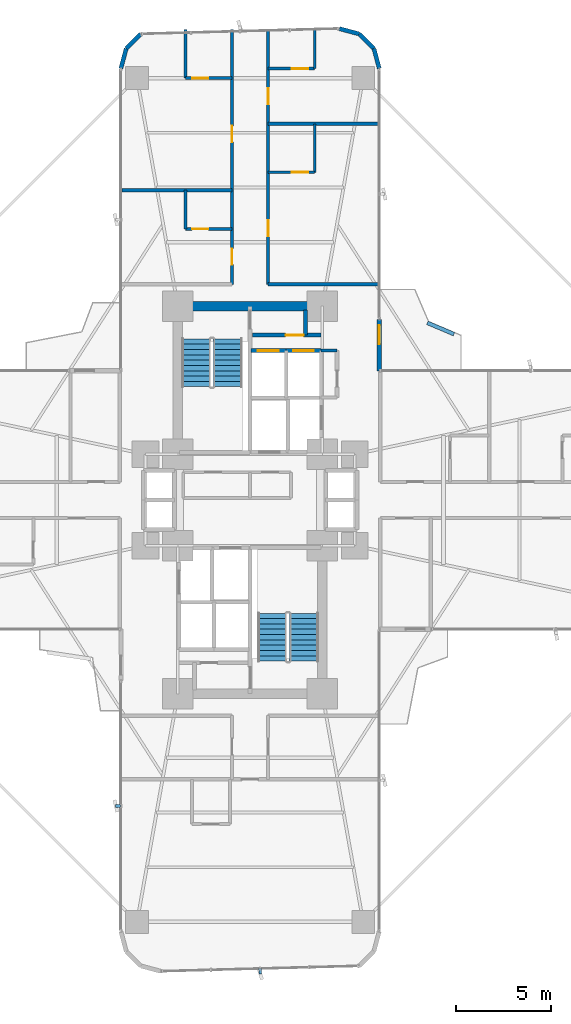
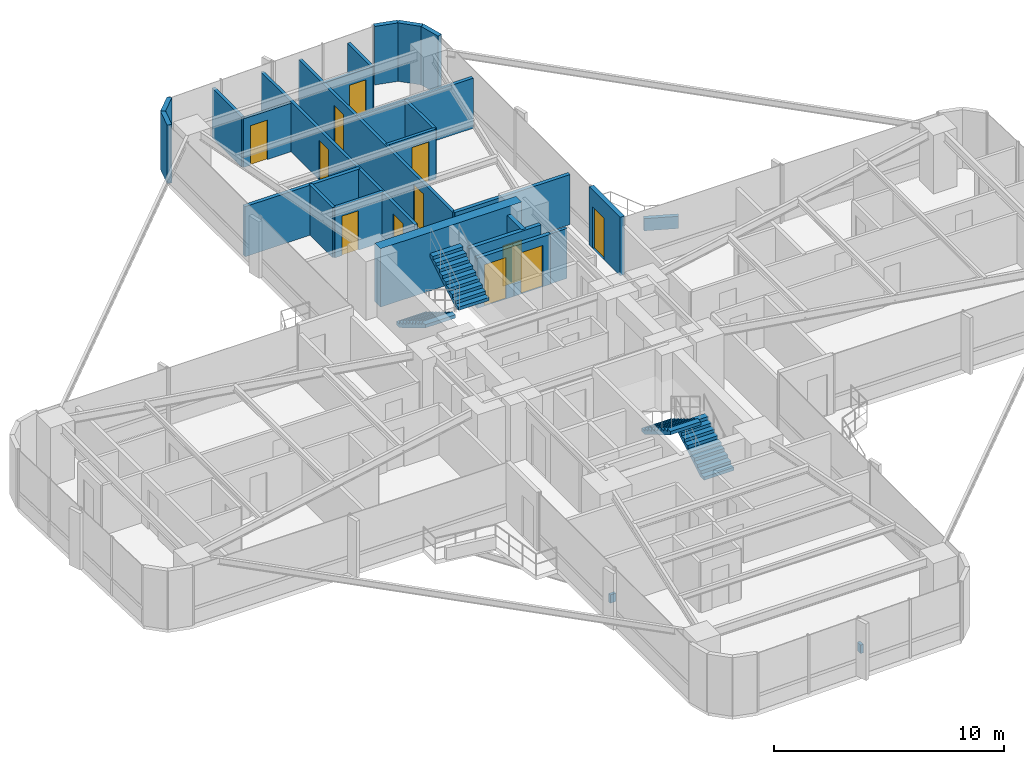
# One storey, part 24 of 26: 26 walls, 12 doors, 4 stair flights, 2 discrete accessories, 12 openings, 2 elements without a shape of their own.
"""IFC4 building model written with IfcOpenShell, lengths in metres."""

from ifc_helpers import new_model, si_unit, direction, frame, frame_2d, origin, origin_2d, place, context, subcontext, project, spatial, polyline, rectangle, outline, extrude, source, transform, mapped, material, layer, layer_set, type_object, element, fill, aggregate, save


model = new_model("IFC4")

# Units and contexts
model_context = context("Model", 3, precision=1e-05, world=origin(), true_north=direction((0.0, 1.0)))
body_context = subcontext(model_context, "Body", "Model", "MODEL_VIEW")
ifc_project = project(units=[si_unit("LENGTHUNIT", "METRE"), si_unit("AREAUNIT", "SQUARE_METRE"), si_unit("VOLUMEUNIT", "CUBIC_METRE"), si_unit("PLANEANGLEUNIT", "RADIAN"), si_unit("MASSUNIT", "GRAM", prefix="KILO")], contexts=[model_context])

# Site, building, storey
site_placement = place(None, origin())
site = spatial("IfcSite", under=ifc_project, at=site_placement, CompositionType="ELEMENT")
building_placement = place(site_placement, origin())
building = spatial("IfcBuilding", under=site, at=building_placement, Name="Sahyath Konkavel Grand Hotel", CompositionType="ELEMENT")
storey_placement = place(building_placement, frame((0.0, 0.0, 26.449951171875)))
storey = spatial("IfcBuildingStorey", under=building, at=storey_placement, Name="L06", CompositionType="ELEMENT", Elevation=26.449951171875)

# Wall
ifc_material_1 = material(Name="Concrete C70/85", Category="concrete")
ifc_layer_1 = layer(ifc_material_1, 0.5)
ifc_layer_set_1 = layer_set([ifc_layer_1], Name="Concrete C70/85")
wall_type_1 = type_object("IfcWallType", Name="CWALL-500", PredefinedType="SHEAR", material=ifc_layer_set_1)
wall_1_placement = place(storey_placement, frame((-3.550048828125, 10.199951171875, 0.0), z_axis=(0.0, 0.0, 1.0), x_axis=(1.0, 0.0, 0.0)))
element("IfcWall", 1, at=wall_1_placement, inside=storey, type_object=wall_type_1, Name="L06 North Core Shear Wall N", PredefinedType="SHEAR", context=body_context, shape_type="SweptSolid", body=[
    extrude(rectangle(XDim=7.10009765625, YDim=0.5, at=frame_2d((3.550048828125, 0.0))), origin(), (0.0, 0.0, 1.0), 3.110107421875),
])

# Wall, opening, door
ifc_material_2 = material(Name="Warm Buff Sandstone Insulated Concrete C40/50", Category="masonry")
ifc_layer_2 = layer(ifc_material_2, 0.219970703125)
ifc_layer_set_2 = layer_set([ifc_layer_2], Name="Warm Buff Sandstone Insulated Concrete C40/50")
wall_type_2 = type_object("IfcWallType", Name="WLL-BALC-THRESH", PredefinedType="STANDARD", material=ifc_layer_set_2)
wall_2_placement = place(storey_placement, frame((6.800048828125, 6.800048828125, 0.0), z_axis=(0.0, 0.0, 1.0), x_axis=(0.0, 1.0, 0.0)))
wall_2 = element("IfcWall", 2, at=wall_2_placement, inside=storey, type_object=wall_type_2, Name="L06 Winter-Garden Threshold Wall 8", PredefinedType="STANDARD", context=body_context, shape_type="SweptSolid", body=[
    extrude(rectangle(XDim=2.699951171875, YDim=0.219970703125, at=frame_2d((1.35009765625, 0.0))), origin(), (0.0, 0.0, 1.0), 3.110107421875),
])
opening_1_placement = place(wall_2_placement, frame((1.39990234375, 0.0, 0.0)))
opening_1 = element("IfcOpeningElement", 3, at=opening_1_placement, cuts=wall_2, Name="Opening D-TR1", PredefinedType="OPENING", context=body_context, shape_type="SweptSolid", body=[
    extrude(rectangle(XDim=1.0, YDim=2.199951171875, at=frame_2d((0.5, 1.10009765625))), frame((0.0, 0.1201171875, 0.0), z_axis=(0.0, -1.0, 0.0), x_axis=(1.0, 0.0, 0.0)), (0.0, 0.0, 1.0), 0.239990234375),
])
ifc_material_3 = material(Name="Anodised Bronze Aluminium & Low-E Glazing", Category="aluminium")
door_type_1 = type_object("IfcDoorType", Name="DR-TERRACE-1000", OperationType="NOTDEFINED", PredefinedType="DOOR", material=ifc_material_3)
shared_shape_1 = source(origin(), body_context, "Body", "SweptSolid", [
    extrude(rectangle(XDim=1.0, YDim=0.050048828125, at=origin_2d()), origin(), (0.0, 0.0, 1.0), 2.199951171875),
])
door_1_placement = place(opening_1_placement, frame((0.5, 0.0, 0.0)))
door_1 = element("IfcDoor", 4, at=door_1_placement, inside=storey, type_object=door_type_1, Name="L06 Winter-Garden Terrace Door 8", OperationType="SINGLE_SWING_LEFT", OverallHeight=2.199951171875, OverallWidth=1.0, PredefinedType="DOOR", context=body_context, shape_type="MappedRepresentation", body=[
    mapped(shared_shape_1, transform((0.0, 0.0, 0.0), scale=1.0)),
])
fill(opening_1, door_1)

# Walls
for number, where, z_axis, x_axis, name in (
    (5, (6.800048828125, 22.699951171875, 0.0), (0.0, 0.0, 1.0), (-0.25872485917, 0.965951058412, 0.0), "L06 Rounded Corner Sandstone Pier 9"),
    (6, (6.518798828125, 23.75, 0.0), (0.0, 0.0, 1.0), (-0.707106781187, 0.707106781187, 0.0), "L06 Rounded Corner Sandstone Pier 10"),
    (7, (5.75, 24.518798828125, 0.0), (0.0, 0.0, 1.0), (-0.965951058412, 0.25872485917, 0.0), "L06 Rounded Corner Sandstone Pier 11"),
    (8, (-5.75, 24.518798828125, 0.0), (0.0, 0.0, 1.0), (-0.707106781187, -0.707106781187, 0.0), "L06 Rounded Corner Sandstone Pier 13"),
    (9, (-6.518798828125, 23.75, 0.0), (0.0, 0.0, 1.0), (-0.25872485917, -0.965951058412, 0.0), "L06 Rounded Corner Sandstone Pier 14"),
):
    element("IfcWall", number, at=place(storey_placement, frame(where, z_axis=z_axis, x_axis=x_axis)), inside=storey, type_object=wall_type_2, Name=name, PredefinedType="STANDARD", context=body_context, shape_type="SweptSolid", body=[
        extrude(rectangle(XDim=1.087158203125, YDim=0.219970703125, at=frame_2d((0.54345703125, 0.0))), origin(), (0.0, 0.0, 1.0), 3.110107421875),
    ])

# Wall, opening, door
ifc_material_4 = material(Name="Concrete C40/50", Category="concrete")
ifc_layer_3 = layer(ifc_material_4, 0.199951171875)
ifc_layer_set_3 = layer_set([ifc_layer_3], Name="Concrete C40/50")
wall_type_3 = type_object("IfcWallType", Name="WLL-CORE-200", PredefinedType="SOLIDWALL", material=ifc_layer_set_3)
wall_3_placement = place(storey_placement, frame((0.050048828125, 7.860107421875, 0.0), z_axis=(0.0, 0.0, 1.0), x_axis=(1.0, 0.0, 0.0)))
wall_3 = element("IfcWall", 10, at=wall_3_placement, inside=storey, type_object=wall_type_3, Name="L06 Partition SH-PL1-N", PredefinedType="SOLIDWALL", context=body_context, shape_type="SweptSolid", body=[
    extrude(rectangle(XDim=1.849853515625, YDim=0.199951171875, at=frame_2d((0.9248046875, 0.0))), origin(), (0.0, 0.0, 1.0), 2.66015625),
])
opening_2_placement = place(wall_3_placement, frame((0.360107421875, 0.0, 0.0)))
opening_2 = element("IfcOpeningElement", 11, at=opening_2_placement, cuts=wall_3, Name="Opening LD-11", PredefinedType="OPENING", context=body_context, shape_type="SweptSolid", body=[
    extrude(rectangle(XDim=1.10009765625, YDim=2.199951171875, at=frame_2d((0.550048828125, 1.10009765625))), frame((0.0, 0.10986328125, 0.0), z_axis=(0.0, -1.0, 0.0), x_axis=(1.0, 0.0, 0.0)), (0.0, 0.0, 1.0), 0.219970703125),
])
ifc_material_5 = material(Name="Bronze Lift Landing Door 1100")
door_type_2 = type_object("IfcDoorType", Name="DR-LIFT-1100", OperationType="DOUBLE_DOOR_SLIDING", PredefinedType="DOOR", material=ifc_material_5)
shared_shape_2 = source(origin(), body_context, "Body", "SweptSolid", [
    extrude(rectangle(XDim=1.10009765625, YDim=0.050048828125, at=origin_2d()), origin(), (0.0, 0.0, 1.0), 2.199951171875),
])
door_2_placement = place(opening_2_placement, frame((0.550048828125, 0.0, 0.0)))
door_2 = element("IfcDoor", 12, at=door_2_placement, inside=storey, type_object=door_type_2, Name="L06 Passenger Lift PL-1 Landing Door", OperationType="DOUBLE_DOOR_SLIDING", OverallHeight=2.199951171875, OverallWidth=1.10009765625, PredefinedType="DOOR", context=body_context, shape_type="MappedRepresentation", body=[
    mapped(shared_shape_2, transform((0.0, 0.0, 0.0), scale=1.0)),
])
fill(opening_2, door_2)

wall_4_placement = place(storey_placement, frame((1.89990234375, 7.860107421875, 0.0), z_axis=(0.0, 0.0, 1.0), x_axis=(1.0, 0.0, 0.0)))
wall_4 = element("IfcWall", 13, at=wall_4_placement, inside=storey, type_object=wall_type_3, Name="L06 Partition SH-PL2-N", PredefinedType="SOLIDWALL", context=body_context, shape_type="SweptSolid", body=[
    extrude(rectangle(XDim=1.840087890625, YDim=0.199951171875, at=frame_2d((0.919921875, 0.0))), origin(), (0.0, 0.0, 1.0), 2.66015625),
])
opening_3_placement = place(wall_4_placement, frame((0.360107421875, 0.0, 0.0)))
opening_3 = element("IfcOpeningElement", 14, at=opening_3_placement, cuts=wall_4, Name="Opening LD-11", PredefinedType="OPENING", context=body_context, shape_type="SweptSolid", body=[
    extrude(rectangle(XDim=1.10009765625, YDim=2.199951171875, at=frame_2d((0.550048828125, 1.10009765625))), frame((0.0, 0.10986328125, 0.0), z_axis=(0.0, -1.0, 0.0), x_axis=(1.0, 0.0, 0.0)), (0.0, 0.0, 1.0), 0.219970703125),
])
door_3_placement = place(opening_3_placement, frame((0.550048828125, 0.0, 0.0)))
door_3 = element("IfcDoor", 15, at=door_3_placement, inside=storey, type_object=door_type_2, Name="L06 Passenger Lift PL-2 Landing Door", OperationType="DOUBLE_DOOR_SLIDING", OverallHeight=2.199951171875, OverallWidth=1.10009765625, PredefinedType="DOOR", context=body_context, shape_type="MappedRepresentation", body=[
    mapped(shared_shape_2, transform((0.0, 0.0, 0.0), scale=1.0)),
])
fill(opening_3, door_3)

wall_5_placement = place(storey_placement, frame((0.1201171875, 8.679931640625, 0.0), z_axis=(0.0, 0.0, 1.0), x_axis=(1.0, 0.0, 0.0)))
wall_5 = element("IfcWall", 16, at=wall_5_placement, inside=storey, type_object=wall_type_3, Name="L06 North FF Lobby Separation Wall", PredefinedType="SOLIDWALL", context=body_context, shape_type="SweptSolid", body=[
    extrude(rectangle(XDim=3.619873046875, YDim=0.199951171875, at=frame_2d((1.81005859375, 0.0))), origin(), (0.0, 0.0, 1.0), 2.66015625),
])
opening_4_placement = place(wall_5_placement, frame((1.75, 0.0, 0.0)))
opening_4 = element("IfcOpeningElement", 17, at=opening_4_placement, cuts=wall_5, Name="Opening D-F12C", PredefinedType="OPENING", context=body_context, shape_type="SweptSolid", body=[
    extrude(rectangle(XDim=0.949951171875, YDim=2.14990234375, at=frame_2d((0.47509765625, 1.074951171875))), frame((0.0, 0.10986328125, 0.0), z_axis=(0.0, -1.0, 0.0), x_axis=(1.0, 0.0, 0.0)), (0.0, 0.0, 1.0), 0.219970703125),
])
ifc_material_6 = material(Name="Steel E350 Plant Fire Door", Category="steel")
door_type_3 = type_object("IfcDoorType", Name="DR-FD120-950", OperationType="NOTDEFINED", PredefinedType="DOOR", material=ifc_material_6)
shared_shape_3 = source(origin(), body_context, "Body", "SweptSolid", [
    extrude(rectangle(XDim=0.949951171875, YDim=0.050048828125, at=origin_2d()), origin(), (0.0, 0.0, 1.0), 2.14990234375),
])
door_4_placement = place(opening_4_placement, frame((0.47509765625, 0.0, 0.0)))
door_4 = element("IfcDoor", 18, at=door_4_placement, inside=storey, type_object=door_type_3, Name="L06 North Firefighting Lobby Door", OperationType="SINGLE_SWING_LEFT", OverallHeight=2.14990234375, OverallWidth=0.949951171875, PredefinedType="DOOR", context=body_context, shape_type="MappedRepresentation", body=[
    mapped(shared_shape_3, transform((0.0, 0.0, 0.0), scale=1.0)),
])
fill(opening_4, door_4)

# Walls
wall_6_placement = place(storey_placement, frame((2.919921875, 8.679931640625, 0.0), z_axis=(0.0, 0.0, 1.0), x_axis=(0.0, 1.0, 0.0)))
element("IfcWall", 19, at=wall_6_placement, inside=storey, type_object=wall_type_3, Name="L06 Partition NFF-E2", PredefinedType="SOLIDWALL", context=body_context, shape_type="SweptSolid", body=[
    extrude(rectangle(XDim=1.320068359375, YDim=0.199951171875, at=frame_2d((0.66015625, 0.0))), origin(), (0.0, 0.0, 1.0), 2.66015625),
])
ifc_material_7 = material(Name="Twin-Stud Acoustic Gypsum Plasterboard Partition")
ifc_layer_4 = layer(ifc_material_7, 0.179931640625)
ifc_layer_set_4 = layer_set([ifc_layer_4], Name="Twin-Stud Acoustic Gypsum Plasterboard Partition")
wall_type_4 = type_object("IfcWallType", Name="WLL-DEMISE-180", PredefinedType="PARTITIONING", material=ifc_layer_set_4)
for number, where, z_axis, x_axis, name in (
    (20, (6.75, 11.35009765625, 0.0), (0.0, 0.0, 1.0), (-1.0, 0.0, 0.0), "L06 Partition N-INR"),
    (21, (-0.949951171875, 16.30810546875, 0.0), (0.0, 0.0, 1.0), (-1.0, 0.0, 0.0), "L06 Partition N-N1L-DEM"),
    (22, (0.949951171875, 19.7919921875, 0.0), (0.0, 0.0, 1.0), (1.0, 0.0, 0.0), "L06 Partition N-N1R-DEM"),
):
    element("IfcWall", number, at=place(storey_placement, frame(where, z_axis=z_axis, x_axis=x_axis)), inside=storey, type_object=wall_type_4, Name=name, PredefinedType="PARTITIONING", context=body_context, shape_type="SweptSolid", body=[
        extrude(rectangle(XDim=5.800048828125, YDim=0.179931640625, at=frame_2d((2.89990234375, 0.0))), origin(), (0.0, 0.0, 1.0), 2.66015625),
    ])
ifc_material_8 = material(Name="Fire-Rated Gypsum Plasterboard Partition")
ifc_layer_5 = layer(ifc_material_8, 0.14990234375)
ifc_layer_set_5 = layer_set([ifc_layer_5], Name="Fire-Rated Gypsum Plasterboard Partition")
wall_type_5 = type_object("IfcWallType", Name="WLL-PART-150", PredefinedType="PARTITIONING", material=ifc_layer_set_5)
wall_7_placement = place(storey_placement, frame((3.739990234375, 7.860107421875, 0.0), z_axis=(0.0, 0.0, 1.0), x_axis=(1.0, 0.0, 0.0)))
element("IfcWall", 23, at=wall_7_placement, inside=storey, type_object=wall_type_5, Name="L06 Partition NC-FLK-N", PredefinedType="PARTITIONING", context=body_context, shape_type="SweptSolid", body=[
    extrude(rectangle(XDim=0.840087890625, YDim=0.14990234375, at=frame_2d((0.419921875, 0.0))), origin(), (0.0, 0.0, 1.0), 2.66015625),
])

# Wall, openings, doors
wall_8_placement = place(storey_placement, frame((-0.949951171875, 11.35009765625, 0.0), z_axis=(0.0, 0.0, 1.0), x_axis=(0.0, 1.0, 0.0)))
wall_8 = element("IfcWall", 24, at=wall_8_placement, inside=storey, type_object=wall_type_5, Name="L06 Partition N-CL", PredefinedType="PARTITIONING", context=body_context, shape_type="SweptSolid", body=[
    extrude(rectangle(XDim=13.39990234375, YDim=0.14990234375, at=frame_2d((6.699951171875, 0.0))), origin(), (0.0, 0.0, 1.0), 2.66015625),
])
opening_5_placement = place(wall_8_placement, frame((1.029052734375, 0.0, 0.0)))
opening_5 = element("IfcOpeningElement", 25, at=opening_5_placement, cuts=wall_8, Name="Opening D-F06D", PredefinedType="OPENING", context=body_context, shape_type="SweptSolid", body=[
    extrude(rectangle(XDim=0.85009765625, YDim=2.10009765625, at=frame_2d((0.425048828125, 1.050048828125))), frame((0.0, 0.0849609375, 0.0), z_axis=(0.0, -1.0, 0.0), x_axis=(1.0, 0.0, 0.0)), (0.0, 0.0, 1.0), 0.169921875),
])
opening_6_placement = place(wall_8_placement, frame((7.47900390625, 0.0, 0.0)))
opening_6 = element("IfcOpeningElement", 26, at=opening_6_placement, cuts=wall_8, Name="Opening D-F06D", PredefinedType="OPENING", context=body_context, shape_type="SweptSolid", body=[
    extrude(rectangle(XDim=0.85009765625, YDim=2.10009765625, at=frame_2d((0.425048828125, 1.050048828125))), frame((0.0, 0.0849609375, 0.0), z_axis=(0.0, -1.0, 0.0), x_axis=(1.0, 0.0, 0.0)), (0.0, 0.0, 1.0), 0.169921875),
])
ifc_material_9 = material(Name="Fire-Rated Shaft Access Door")
door_type_4 = type_object("IfcDoorType", Name="DR-FD60-850", OperationType="NOTDEFINED", PredefinedType="DOOR", material=ifc_material_9)
shared_shape_4 = source(origin(), body_context, "Body", "SweptSolid", [
    extrude(rectangle(XDim=0.85009765625, YDim=0.050048828125, at=origin_2d()), origin(), (0.0, 0.0, 1.0), 2.10009765625),
])
door_5_placement = place(opening_5_placement, frame((0.425048828125, 0.0, 0.0)))
door_5 = element("IfcDoor", 27, at=door_5_placement, inside=storey, type_object=door_type_4, Name="L06 Door N-N1L-ED", OperationType="SINGLE_SWING_LEFT", OverallHeight=2.10009765625, OverallWidth=0.85009765625, PredefinedType="DOOR", context=body_context, shape_type="MappedRepresentation", body=[
    mapped(shared_shape_4, transform((0.0, 0.0, 0.0), scale=1.0)),
])
fill(opening_5, door_5)
door_6_placement = place(opening_6_placement, frame((0.425048828125, 0.0, 0.0)))
door_6 = element("IfcDoor", 28, at=door_6_placement, inside=storey, type_object=door_type_4, Name="L06 Door N-N2L-ED", OperationType="SINGLE_SWING_LEFT", OverallHeight=2.10009765625, OverallWidth=0.85009765625, PredefinedType="DOOR", context=body_context, shape_type="MappedRepresentation", body=[
    mapped(shared_shape_4, transform((0.0, 0.0, 0.0), scale=1.0)),
])
fill(opening_6, door_6)

wall_9_placement = place(storey_placement, frame((0.949951171875, 11.35009765625, 0.0), z_axis=(0.0, 0.0, 1.0), x_axis=(0.0, 1.0, 0.0)))
wall_9 = element("IfcWall", 29, at=wall_9_placement, inside=storey, type_object=wall_type_5, Name="L06 Partition N-CR", PredefinedType="PARTITIONING", context=body_context, shape_type="SweptSolid", body=[
    extrude(rectangle(XDim=13.39990234375, YDim=0.14990234375, at=frame_2d((6.699951171875, 0.0))), origin(), (0.0, 0.0, 1.0), 2.66015625),
])
opening_7_placement = place(wall_9_placement, frame((2.52099609375, 0.0, 0.0)))
opening_7 = element("IfcOpeningElement", 30, at=opening_7_placement, cuts=wall_9, Name="Opening D-F06D", PredefinedType="OPENING", context=body_context, shape_type="SweptSolid", body=[
    extrude(rectangle(XDim=0.85009765625, YDim=2.10009765625, at=frame_2d((0.425048828125, 1.050048828125))), frame((0.0, 0.0849609375, 0.0), z_axis=(0.0, -1.0, 0.0), x_axis=(1.0, 0.0, 0.0)), (0.0, 0.0, 1.0), 0.169921875),
])
opening_8_placement = place(wall_9_placement, frame((9.470947265625, 0.0, 0.0)))
opening_8 = element("IfcOpeningElement", 31, at=opening_8_placement, cuts=wall_9, Name="Opening D-F06D", PredefinedType="OPENING", context=body_context, shape_type="SweptSolid", body=[
    extrude(rectangle(XDim=0.85009765625, YDim=2.10009765625, at=frame_2d((0.425048828125, 1.050048828125))), frame((0.0, 0.0849609375, 0.0), z_axis=(0.0, -1.0, 0.0), x_axis=(1.0, 0.0, 0.0)), (0.0, 0.0, 1.0), 0.169921875),
])
door_7_placement = place(opening_7_placement, frame((0.425048828125, 0.0, 0.0)))
door_7 = element("IfcDoor", 32, at=door_7_placement, inside=storey, type_object=door_type_4, Name="L06 Door N-N1R-ED", OperationType="SINGLE_SWING_LEFT", OverallHeight=2.10009765625, OverallWidth=0.85009765625, PredefinedType="DOOR", context=body_context, shape_type="MappedRepresentation", body=[
    mapped(shared_shape_4, transform((0.0, 0.0, 0.0), scale=1.0)),
])
fill(opening_7, door_7)
door_8_placement = place(opening_8_placement, frame((0.425048828125, 0.0, 0.0)))
door_8 = element("IfcDoor", 33, at=door_8_placement, inside=storey, type_object=door_type_4, Name="L06 Door N-N2R-ED", OperationType="SINGLE_SWING_LEFT", OverallHeight=2.10009765625, OverallWidth=0.85009765625, PredefinedType="DOOR", context=body_context, shape_type="MappedRepresentation", body=[
    mapped(shared_shape_4, transform((0.0, 0.0, 0.0), scale=1.0)),
])
fill(opening_8, door_8)

# Wall, opening, door
wall_10_placement = place(storey_placement, frame((-0.949951171875, 14.258056640625, 0.0), z_axis=(0.0, 0.0, 1.0), x_axis=(-1.0, 0.0, 0.0)))
wall_10 = element("IfcWall", 34, at=wall_10_placement, inside=storey, type_object=wall_type_5, Name="L06 Partition N-N1L-BS", PredefinedType="PARTITIONING", context=body_context, shape_type="SweptSolid", body=[
    extrude(rectangle(XDim=2.449951171875, YDim=0.14990234375, at=frame_2d((1.22509765625, 0.0))), origin(), (0.0, 0.0, 1.0), 2.66015625),
])
opening_9_placement = place(wall_10_placement, frame((1.25, 0.0, 0.0)))
opening_9 = element("IfcOpeningElement", 35, at=opening_9_placement, cuts=wall_10, Name="Opening D-BT85", PredefinedType="OPENING", context=body_context, shape_type="SweptSolid", body=[
    extrude(rectangle(XDim=0.85009765625, YDim=2.10009765625, at=frame_2d((0.425048828125, 1.050048828125))), frame((0.0, 0.0849609375, 0.0), z_axis=(0.0, -1.0, 0.0), x_axis=(1.0, 0.0, 0.0)), (0.0, 0.0, 1.0), 0.169921875),
])
ifc_material_10 = material(Name="Moisture-Resistant Teak Bathroom Door")
door_type_5 = type_object("IfcDoorType", Name="DR-BATH-850", OperationType="NOTDEFINED", PredefinedType="DOOR", material=ifc_material_10)
door_9_placement = place(opening_9_placement, frame((0.425048828125, 0.0, 0.0)))
door_9 = element("IfcDoor", 36, at=door_9_placement, inside=storey, type_object=door_type_5, Name="L06 Door N-N1L-BD", OperationType="SINGLE_SWING_RIGHT", OverallHeight=2.10009765625, OverallWidth=0.85009765625, PredefinedType="DOOR", context=body_context, shape_type="MappedRepresentation", body=[
    mapped(shared_shape_4, transform((0.0, 0.0, 0.0), scale=1.0)),
])
fill(opening_9, door_9)

# Wall
wall_11_placement = place(storey_placement, frame((-3.39990234375, 14.258056640625, 0.0), z_axis=(0.0, 0.0, 1.0), x_axis=(0.0, 1.0, 0.0)))
element("IfcWall", 37, at=wall_11_placement, inside=storey, type_object=wall_type_5, Name="L06 Partition N-N1L-BF", PredefinedType="PARTITIONING", context=body_context, shape_type="SweptSolid", body=[
    extrude(rectangle(XDim=2.050048828125, YDim=0.14990234375, at=frame_2d((1.02490234375, 0.0))), origin(), (0.0, 0.0, 1.0), 2.66015625),
])

# Wall, opening, door
wall_12_placement = place(storey_placement, frame((-0.949951171875, 22.199951171875, 0.0), z_axis=(0.0, 0.0, 1.0), x_axis=(-1.0, 0.0, 0.0)))
wall_12 = element("IfcWall", 38, at=wall_12_placement, inside=storey, type_object=wall_type_5, Name="L06 Partition N-N2L-BS", PredefinedType="PARTITIONING", context=body_context, shape_type="SweptSolid", body=[
    extrude(rectangle(XDim=2.449951171875, YDim=0.14990234375, at=frame_2d((1.22509765625, 0.0))), origin(), (0.0, 0.0, 1.0), 2.580078125),
])
opening_10_placement = place(wall_12_placement, frame((1.25, 0.0, 0.0)))
opening_10 = element("IfcOpeningElement", 39, at=opening_10_placement, cuts=wall_12, Name="Opening D-BT85", PredefinedType="OPENING", context=body_context, shape_type="SweptSolid", body=[
    extrude(rectangle(XDim=0.85009765625, YDim=2.10009765625, at=frame_2d((0.425048828125, 1.050048828125))), frame((0.0, 0.0849609375, 0.0), z_axis=(0.0, -1.0, 0.0), x_axis=(1.0, 0.0, 0.0)), (0.0, 0.0, 1.0), 0.169921875),
])
door_10_placement = place(opening_10_placement, frame((0.425048828125, 0.0, 0.0)))
door_10 = element("IfcDoor", 40, at=door_10_placement, inside=storey, type_object=door_type_5, Name="L06 Door N-N2L-BD", OperationType="SINGLE_SWING_RIGHT", OverallHeight=2.10009765625, OverallWidth=0.85009765625, PredefinedType="DOOR", context=body_context, shape_type="MappedRepresentation", body=[
    mapped(shared_shape_4, transform((0.0, 0.0, 0.0), scale=1.0)),
])
fill(opening_10, door_10)

# Wall
wall_13_placement = place(storey_placement, frame((-3.39990234375, 22.199951171875, 0.0), z_axis=(0.0, 0.0, 1.0), x_axis=(0.0, 1.0, 0.0)))
element("IfcWall", 41, at=wall_13_placement, inside=storey, type_object=wall_type_5, Name="L06 Partition N-N2L-BF", PredefinedType="PARTITIONING", context=body_context, shape_type="SweptSolid", body=[
    extrude(rectangle(XDim=2.550048828125, YDim=0.14990234375, at=frame_2d((1.27490234375, 0.0))), origin(), (0.0, 0.0, 1.0), 2.66015625),
])

# Wall, opening, door
wall_14_placement = place(storey_placement, frame((0.949951171875, 17.241943359375, 0.0), z_axis=(0.0, 0.0, 1.0), x_axis=(1.0, 0.0, 0.0)))
wall_14 = element("IfcWall", 42, at=wall_14_placement, inside=storey, type_object=wall_type_5, Name="L06 Partition N-N1R-BS", PredefinedType="PARTITIONING", context=body_context, shape_type="SweptSolid", body=[
    extrude(rectangle(XDim=2.449951171875, YDim=0.14990234375, at=frame_2d((1.22509765625, 0.0))), origin(), (0.0, 0.0, 1.0), 2.66015625),
])
opening_11_placement = place(wall_14_placement, frame((1.25, 0.0, 0.0)))
opening_11 = element("IfcOpeningElement", 43, at=opening_11_placement, cuts=wall_14, Name="Opening D-BT85", PredefinedType="OPENING", context=body_context, shape_type="SweptSolid", body=[
    extrude(rectangle(XDim=0.85009765625, YDim=2.10009765625, at=frame_2d((0.425048828125, 1.050048828125))), frame((0.0, 0.0849609375, 0.0), z_axis=(0.0, -1.0, 0.0), x_axis=(1.0, 0.0, 0.0)), (0.0, 0.0, 1.0), 0.169921875),
])
door_11_placement = place(opening_11_placement, frame((0.425048828125, 0.0, 0.0)))
door_11 = element("IfcDoor", 44, at=door_11_placement, inside=storey, type_object=door_type_5, Name="L06 Door N-N1R-BD", OperationType="SINGLE_SWING_RIGHT", OverallHeight=2.10009765625, OverallWidth=0.85009765625, PredefinedType="DOOR", context=body_context, shape_type="MappedRepresentation", body=[
    mapped(shared_shape_4, transform((0.0, 0.0, 0.0), scale=1.0)),
])
fill(opening_11, door_11)

# Wall
wall_15_placement = place(storey_placement, frame((3.39990234375, 17.241943359375, 0.0), z_axis=(0.0, 0.0, 1.0), x_axis=(0.0, 1.0, 0.0)))
element("IfcWall", 45, at=wall_15_placement, inside=storey, type_object=wall_type_5, Name="L06 Partition N-N1R-BF", PredefinedType="PARTITIONING", context=body_context, shape_type="SweptSolid", body=[
    extrude(rectangle(XDim=2.550048828125, YDim=0.14990234375, at=frame_2d((1.27490234375, 0.0))), origin(), (0.0, 0.0, 1.0), 2.66015625),
])

# Wall, opening, door
wall_16_placement = place(storey_placement, frame((0.949951171875, 22.699951171875, 0.0), z_axis=(0.0, 0.0, 1.0), x_axis=(1.0, 0.0, 0.0)))
wall_16 = element("IfcWall", 46, at=wall_16_placement, inside=storey, type_object=wall_type_5, Name="L06 Partition N-N2R-BS", PredefinedType="PARTITIONING", context=body_context, shape_type="SweptSolid", body=[
    extrude(rectangle(XDim=2.449951171875, YDim=0.14990234375, at=frame_2d((1.22509765625, 0.0))), origin(), (0.0, 0.0, 1.0), 2.66015625),
])
opening_12_placement = place(wall_16_placement, frame((1.25, 0.0, 0.0)))
opening_12 = element("IfcOpeningElement", 47, at=opening_12_placement, cuts=wall_16, Name="Opening D-BT85", PredefinedType="OPENING", context=body_context, shape_type="SweptSolid", body=[
    extrude(rectangle(XDim=0.85009765625, YDim=2.10009765625, at=frame_2d((0.425048828125, 1.050048828125))), frame((0.0, 0.0849609375, 0.0), z_axis=(0.0, -1.0, 0.0), x_axis=(1.0, 0.0, 0.0)), (0.0, 0.0, 1.0), 0.169921875),
])
door_12_placement = place(opening_12_placement, frame((0.425048828125, 0.0, 0.0)))
door_12 = element("IfcDoor", 48, at=door_12_placement, inside=storey, type_object=door_type_5, Name="L06 Door N-N2R-BD", OperationType="SINGLE_SWING_RIGHT", OverallHeight=2.10009765625, OverallWidth=0.85009765625, PredefinedType="DOOR", context=body_context, shape_type="MappedRepresentation", body=[
    mapped(shared_shape_4, transform((0.0, 0.0, 0.0), scale=1.0)),
])
fill(opening_12, door_12)

# Walls
wall_17_placement = place(storey_placement, frame((3.39990234375, 22.699951171875, 0.0), z_axis=(0.0, 0.0, 1.0), x_axis=(0.0, 1.0, 0.0)))
element("IfcWall", 49, at=wall_17_placement, inside=storey, type_object=wall_type_5, Name="L06 Partition N-N2R-BF", PredefinedType="PARTITIONING", context=body_context, shape_type="SweptSolid", body=[
    extrude(rectangle(XDim=2.050048828125, YDim=0.14990234375, at=frame_2d((1.02490234375, 0.0))), origin(), (0.0, 0.0, 1.0), 2.66015625),
])
ifc_material_11 = material(Name="Warm Buff Sandstone Planter Wall", Category="masonry")
ifc_layer_6 = layer(ifc_material_11, 0.199951171875)
ifc_layer_set_6 = layer_set([ifc_layer_6], Name="Warm Buff Sandstone Planter Wall")
wall_type_6 = type_object("IfcWallType", Name="WLL-PLANTER-200", PredefinedType="PARAPET", material=ifc_layer_set_6)
wall_18_placement = place(storey_placement, frame((10.727783203125, 8.7265625, 0.0), z_axis=(0.0, 0.0, 1.0), x_axis=(-0.920185318079, 0.391483052497, 0.0)))
element("IfcWall", 50, at=wall_18_placement, inside=storey, type_object=wall_type_6, Name="L06 Sky-Garden Stone Planter PLANTER NE", PredefinedType="PARAPET", context=body_context, shape_type="SweptSolid", body=[
    extrude(rectangle(XDim=1.524658203125, YDim=0.199951171875, at=frame_2d((0.76220703125, 0.0))), origin(), (0.0, 0.0, 1.0), 0.650146484375),
])

# Stair, stair flights
stair_type = type_object("IfcStairType", Name="STR-ST16-335", PredefinedType="HALF_TURN_STAIR", material=ifc_material_4)
stair_1_placement = place(storey_placement, origin())
stair_1 = element("IfcStair", 51, at=stair_1_placement, inside=storey, type_object=stair_type, Name="L06 North Core Smokeproof Exit Stair ST-1", PredefinedType="HALF_TURN_STAIR")
stair_flight_type = type_object("IfcStairFlightType", Name="STF-ST16-335", PredefinedType="STRAIGHT", material=ifc_material_4)
stair_flight_1_placement = place(storey_placement, frame((-2.840087890625, 8.47998046875, 0.0), z_axis=(0.0, 0.0, 1.0), x_axis=(0.0, -1.0, 0.0)))
stair_flight_1 = element("IfcStairFlight", 52, at=stair_flight_1_placement, type_object=stair_flight_type, Name="ST-1 flight 1", NumberOfRisers=10, NumberOfTreads=9, PredefinedType="STRAIGHT", RiserHeight=0.1675, TreadLength=0.28, context=body_context, shape_type="SweptSolid", body=[
    extrude(outline(polyline([(0.0, 0.0), (0.0, 0.16748046875), (0.280029296875, 0.16748046875), (0.280029296875, 0.3349609375), (0.56005859375, 0.3349609375), (0.56005859375, 0.50244140625), (0.840087890625, 0.50244140625), (0.840087890625, 0.669921875), (1.1201171875, 0.669921875), (1.1201171875, 0.83740234375), (1.39990234375, 0.83740234375), (1.39990234375, 1.0048828125), (1.679931640625, 1.0048828125), (1.679931640625, 1.172607421875), (1.9599609375, 1.172607421875), (1.9599609375, 1.340087890625), (2.239990234375, 1.340087890625), (2.239990234375, 1.507568359375), (2.52001953125, 1.507568359375), (2.52001953125, 1.675048828125), (2.52001953125, 1.332763671875), (0.2919921875, 0.0), (0.0, 0.0)])), frame((0.0, 0.760009765625, 0.0), z_axis=(0.0, -1.0, 0.0), x_axis=(1.0, 0.0, 0.0)), (0.0, 0.0, 1.0), 1.52001953125),
])
stair_flight_2_placement = place(storey_placement, frame((-1.159912109375, 5.9599609375, 1.675048828125), z_axis=(0.0, 0.0, 1.0), x_axis=(0.0, 1.0, 0.0)))
stair_flight_2 = element("IfcStairFlight", 53, at=stair_flight_2_placement, type_object=stair_flight_type, Name="ST-1 flight 2", NumberOfRisers=10, NumberOfTreads=9, PredefinedType="STRAIGHT", RiserHeight=0.1675, TreadLength=0.28, context=body_context, shape_type="SweptSolid", body=[
    extrude(outline(polyline([(0.0, 0.0), (0.0, 0.16748046875), (0.280029296875, 0.16748046875), (0.280029296875, 0.3349609375), (0.56005859375, 0.3349609375), (0.56005859375, 0.50244140625), (0.840087890625, 0.50244140625), (0.840087890625, 0.669921875), (1.1201171875, 0.669921875), (1.1201171875, 0.83740234375), (1.39990234375, 0.83740234375), (1.39990234375, 1.0048828125), (1.679931640625, 1.0048828125), (1.679931640625, 1.172607421875), (1.9599609375, 1.172607421875), (1.9599609375, 1.340087890625), (2.239990234375, 1.340087890625), (2.239990234375, 1.507568359375), (2.52001953125, 1.507568359375), (2.52001953125, 1.675048828125), (2.52001953125, 1.332763671875), (0.2919921875, 0.0), (0.0, 0.0)])), frame((0.0, 0.760009765625, 0.0), z_axis=(0.0, -1.0, 0.0), x_axis=(1.0, 0.0, 0.0)), (0.0, 0.0, 1.0), 1.52001953125),
])
aggregate(stair_1, [stair_flight_1, stair_flight_2])

stair_2_placement = place(storey_placement, origin())
stair_2 = element("IfcStair", 54, at=stair_2_placement, inside=storey, type_object=stair_type, Name="L06 South Core Smokeproof Exit Stair ST-2", PredefinedType="HALF_TURN_STAIR")
stair_flight_3_placement = place(storey_placement, frame((2.840087890625, -8.47998046875, 0.0), z_axis=(0.0, 0.0, 1.0), x_axis=(0.0, 1.0, 0.0)))
stair_flight_3 = element("IfcStairFlight", 55, at=stair_flight_3_placement, type_object=stair_flight_type, Name="ST-2 flight 1", NumberOfRisers=10, NumberOfTreads=9, PredefinedType="STRAIGHT", RiserHeight=0.1675, TreadLength=0.28, context=body_context, shape_type="SweptSolid", body=[
    extrude(outline(polyline([(0.0, 0.0), (0.0, 0.16748046875), (0.280029296875, 0.16748046875), (0.280029296875, 0.3349609375), (0.56005859375, 0.3349609375), (0.56005859375, 0.50244140625), (0.840087890625, 0.50244140625), (0.840087890625, 0.669921875), (1.1201171875, 0.669921875), (1.1201171875, 0.83740234375), (1.39990234375, 0.83740234375), (1.39990234375, 1.0048828125), (1.679931640625, 1.0048828125), (1.679931640625, 1.172607421875), (1.9599609375, 1.172607421875), (1.9599609375, 1.340087890625), (2.239990234375, 1.340087890625), (2.239990234375, 1.507568359375), (2.52001953125, 1.507568359375), (2.52001953125, 1.675048828125), (2.52001953125, 1.332763671875), (0.2919921875, 0.0), (0.0, 0.0)])), frame((0.0, 0.760009765625, 0.0), z_axis=(0.0, -1.0, 0.0), x_axis=(1.0, 0.0, 0.0)), (0.0, 0.0, 1.0), 1.52001953125),
])
stair_flight_4_placement = place(storey_placement, frame((1.159912109375, -5.9599609375, 1.675048828125), z_axis=(0.0, 0.0, 1.0), x_axis=(0.0, -1.0, 0.0)))
stair_flight_4 = element("IfcStairFlight", 56, at=stair_flight_4_placement, type_object=stair_flight_type, Name="ST-2 flight 2", NumberOfRisers=10, NumberOfTreads=9, PredefinedType="STRAIGHT", RiserHeight=0.1675, TreadLength=0.28, context=body_context, shape_type="SweptSolid", body=[
    extrude(outline(polyline([(0.0, 0.0), (0.0, 0.16748046875), (0.280029296875, 0.16748046875), (0.280029296875, 0.3349609375), (0.56005859375, 0.3349609375), (0.56005859375, 0.50244140625), (0.840087890625, 0.50244140625), (0.840087890625, 0.669921875), (1.1201171875, 0.669921875), (1.1201171875, 0.83740234375), (1.39990234375, 0.83740234375), (1.39990234375, 1.0048828125), (1.679931640625, 1.0048828125), (1.679931640625, 1.172607421875), (1.9599609375, 1.172607421875), (1.9599609375, 1.340087890625), (2.239990234375, 1.340087890625), (2.239990234375, 1.507568359375), (2.52001953125, 1.507568359375), (2.52001953125, 1.675048828125), (2.52001953125, 1.332763671875), (0.2919921875, 0.0), (0.0, 0.0)])), frame((0.0, 0.760009765625, 0.0), z_axis=(0.0, -1.0, 0.0), x_axis=(1.0, 0.0, 0.0)), (0.0, 0.0, 1.0), 1.52001953125),
])
aggregate(stair_2, [stair_flight_3, stair_flight_4])

# Discrete accessories
ifc_material_12 = material(Name="Steel E350", Category="steel")
discrete_accessory_type = type_object("IfcDiscreteAccessoryType", Name="ACC-FIN-BRACKET", PredefinedType="BRACKET", material=ifc_material_12)
shared_shape_5 = source(origin(), body_context, "Body", "SweptSolid", [
    extrude(rectangle(XDim=0.280029296875, YDim=0.139892578125, at=origin_2d()), origin(), (0.0, 0.0, 1.0), 0.449951171875),
])
for number, where, z_axis, x_axis, name in (
    (57, (-6.929931640625, -16.10009765625, 1.330078125), (0.0, 0.0, 1.0), (-1.0, 0.0, 0.0), "L06 Fin Support Bracket F24-1"),
    (58, (0.528564453125, -24.789306640625, 1.330078125), (0.0, 0.0, 1.0), (0.026909728301, -0.999637867691, 0.0), "L06 Fin Support Bracket F28-2"),
):
    element("IfcDiscreteAccessory", number, at=place(storey_placement, frame(where, z_axis=z_axis, x_axis=x_axis)), inside=storey, type_object=discrete_accessory_type, Name=name, PredefinedType="BRACKET", context=body_context, shape_type="MappedRepresentation", body=[
        mapped(shared_shape_5, transform((0.0, 0.0, 0.0), scale=1.0)),
    ])

save(model, "model.ifc")
